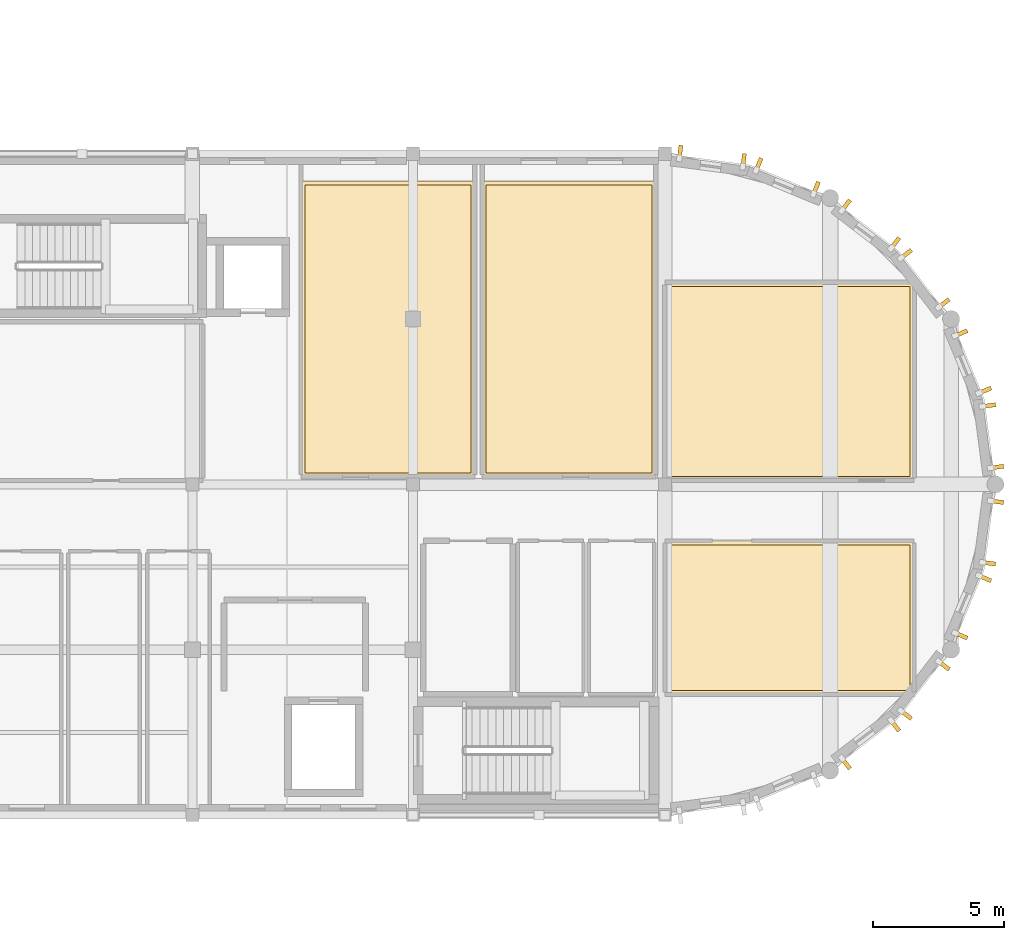
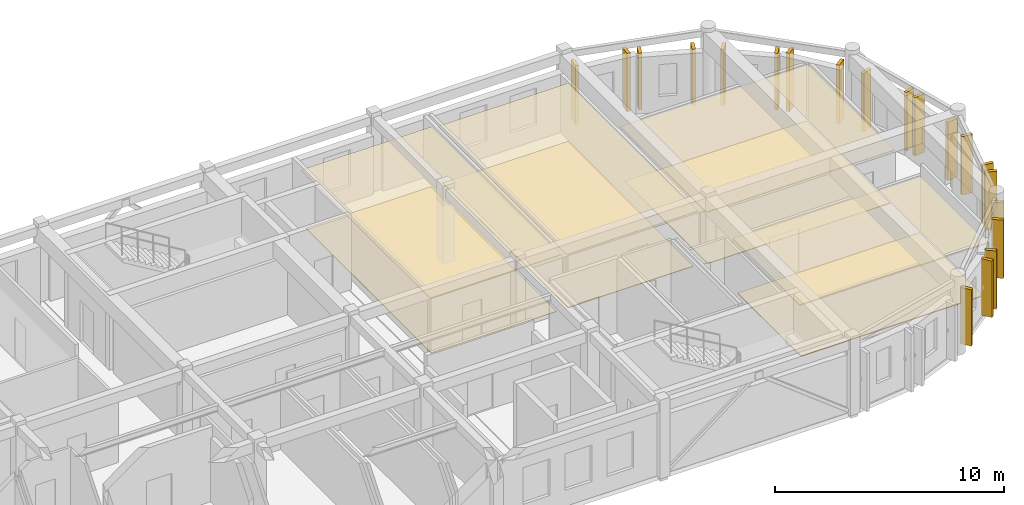
# One storey, part 12 of 12: 28 coverings.
"""IFC4 building model written with IfcOpenShell, lengths in metres."""

from ifc_helpers import new_model, si_unit, direction, frame, origin, origin_2d, place, context, subcontext, project, spatial, polyline, rectangle, outline, extrude, material, layer, layer_set, type_object, element, save


model = new_model("IFC4")

# Units and contexts
model_context = context("Model", 3, precision=1e-05, world=origin(), true_north=direction((0.0, 1.0)))
body_context = subcontext(model_context, "Body", "Model", "MODEL_VIEW")
ifc_project = project(units=[si_unit("LENGTHUNIT", "METRE"), si_unit("AREAUNIT", "SQUARE_METRE"), si_unit("VOLUMEUNIT", "CUBIC_METRE"), si_unit("PLANEANGLEUNIT", "RADIAN"), si_unit("MASSUNIT", "GRAM", prefix="KILO")], contexts=[model_context])

# Site, building, storey
site_placement = place(None, origin())
site = spatial("IfcSite", under=ifc_project, at=site_placement, CompositionType="ELEMENT")
building_placement = place(site_placement, origin())
building = spatial("IfcBuilding", under=site, at=building_placement, Name="Tarnavel Promenade Courthouse", CompositionType="ELEMENT")
storey_placement = place(building_placement, frame((0.0, 0.0, 27.0)))
storey = spatial("IfcBuildingStorey", under=building, at=storey_placement, Name="L07", CompositionType="ELEMENT", Elevation=27.0)

# Coverings
ifc_material_1 = material(Name="Engineered Smoked Oak Courtroom & Chambers Parquet")
ifc_layer_1 = layer(ifc_material_1, 0.031982421875)
ifc_layer_set_1 = layer_set([ifc_layer_1], Name="Engineered Smoked Oak Courtroom & Chambers Parquet")
covering_type_1 = type_object("IfcCoveringType", Name="Engineered Smoked Oak Courtroom & Chambers Parquet (COV-FLR-OAK-32)", PredefinedType="FLOORING", material=ifc_layer_set_1)
covering_1_placement = place(storey_placement, origin())
element("IfcCovering", 1, at=covering_1_placement, inside=storey, type_object=covering_type_1, Name="L07 Appellate Judges' Chambers L07 Suite B Architectural Flooring 0049", PredefinedType="FLOORING", context=body_context, shape_type="SweptSolid", body=[
    extrude(outline(polyline([(88.2900390625, 92.239990234375), (94.610107421875, 92.239990234375), (94.610107421875, 103.2099609375), (88.2900390625, 103.2099609375), (88.2900390625, 92.239990234375)])), origin(), (0.0, 0.0, 1.0), 0.031982421875),
])
covering_2_placement = place(storey_placement, origin())
element("IfcCovering", 2, at=covering_2_placement, inside=storey, type_object=covering_type_1, Name="L07 Appellate Judges' Chambers L07 Suite C Architectural Flooring 0050", PredefinedType="FLOORING", context=body_context, shape_type="SweptSolid", body=[
    extrude(outline(polyline([(95.18994140625, 92.239990234375), (101.510009765625, 92.239990234375), (101.510009765625, 103.2099609375), (95.18994140625, 103.2099609375), (95.18994140625, 92.239990234375)])), origin(), (0.0, 0.0, 1.0), 0.031982421875),
])
covering_3_placement = place(storey_placement, origin())
element("IfcCovering", 3, at=covering_3_placement, inside=storey, type_object=covering_type_1, Name="L07 L07 East Drum Rotunda Chambers North Architectural Flooring 0052", PredefinedType="FLOORING", context=body_context, shape_type="SweptSolid", body=[
    extrude(outline(polyline([(102.14990234375, 92.10009765625), (111.35009765625, 92.10009765625), (111.35009765625, 99.35009765625), (102.14990234375, 99.35009765625), (102.14990234375, 92.10009765625)])), origin(), (0.0, 0.0, 1.0), 0.031982421875),
])
ifc_material_2 = material(Name="Honed Khoriatis Marble and Terrazzo Civic Flooring", Category="masonry")
ifc_layer_2 = layer(ifc_material_2, 0.0400390625)
ifc_layer_set_2 = layer_set([ifc_layer_2], Name="Honed Khoriatis Marble and Terrazzo Civic Flooring")
covering_type_2 = type_object("IfcCoveringType", Name="Honed Khoriatis Marble and Terrazzo Civic Flooring (COV-FLR-TRZ-40)", PredefinedType="FLOORING", material=ifc_layer_set_2)
covering_4_placement = place(storey_placement, origin())
element("IfcCovering", 4, at=covering_4_placement, inside=storey, type_object=covering_type_2, Name="L07 L07 East Drum Collegium Reference Room Architectural Flooring 0053", PredefinedType="FLOORING", context=body_context, shape_type="SweptSolid", body=[
    extrude(outline(polyline([(102.14990234375, 83.949951171875), (111.35009765625, 83.949951171875), (111.35009765625, 89.5), (102.14990234375, 89.5), (102.14990234375, 83.949951171875)])), origin(), (0.0, 0.0, 1.0), 0.0400390625),
])
ifc_material_3 = material(Name="Micro-Perforated Acoustic Mineral-Fibre Ceiling")
ifc_layer_3 = layer(ifc_material_3, 0.044921875)
ifc_layer_set_3 = layer_set([ifc_layer_3], Name="Micro-Perforated Acoustic Mineral-Fibre Ceiling")
covering_type_3 = type_object("IfcCoveringType", Name="Micro-Perforated Acoustic Mineral-Fibre Ceiling (COV-CLG-MIN-45)", PredefinedType="CEILING", material=ifc_layer_set_3)
covering_5_placement = place(storey_placement, frame((0.0, 0.0, 3.054931640625)))
element("IfcCovering", 5, at=covering_5_placement, inside=storey, type_object=covering_type_3, Name="L07 Appellate Judges' Chambers L07 Suite B Acoustic Ceiling 0049", PredefinedType="CEILING", context=body_context, shape_type="SweptSolid", body=[
    extrude(outline(polyline([(88.139892578125, 92.090087890625), (94.760009765625, 92.090087890625), (94.760009765625, 103.360107421875), (88.139892578125, 103.360107421875), (88.139892578125, 92.090087890625)])), origin(), (0.0, 0.0, 1.0), 0.045166015625),
])
covering_6_placement = place(storey_placement, frame((0.0, 0.0, 2.965087890625)))
element("IfcCovering", 6, at=covering_6_placement, inside=storey, type_object=covering_type_3, Name="L07 Appellate Judges' Chambers L07 Suite C Acoustic Ceiling 0050", PredefinedType="CEILING", context=body_context, shape_type="SweptSolid", body=[
    extrude(outline(polyline([(95.0400390625, 92.090087890625), (101.659912109375, 92.090087890625), (101.659912109375, 103.360107421875), (95.0400390625, 103.360107421875), (95.0400390625, 92.090087890625)])), origin(), (0.0, 0.0, 1.0), 0.044921875),
])
covering_7_placement = place(storey_placement, frame((0.0, 0.0, 2.864990234375)))
element("IfcCovering", 7, at=covering_7_placement, inside=storey, type_object=covering_type_3, Name="L07 L07 East Drum Rotunda Chambers North Acoustic Ceiling 0052", PredefinedType="CEILING", context=body_context, shape_type="SweptSolid", body=[
    extrude(outline(polyline([(102.0, 91.949951171875), (111.5, 91.949951171875), (111.5, 99.5), (102.0, 99.5), (102.0, 91.949951171875)])), origin(), (0.0, 0.0, 1.0), 0.044921875),
])
ifc_material_4 = material(Name="Patinated Copper-Bronze Fluted Pier Cladding")
ifc_layer_4 = layer(ifc_material_4, 0.52001953125)
ifc_layer_set_4 = layer_set([ifc_layer_4], Name="Patinated Copper-Bronze Fluted Pier Cladding")
covering_type_4 = type_object("IfcCoveringType", Name="Patinated Copper-Bronze Fluted Pier Cladding COV-PIER-520 (520 mm)", PredefinedType="CLADDING", material=ifc_layer_set_4)
for number, where, z_axis, x_axis, name in (
    (8, (108.89697265625, 81.169677734375, 0.0), (0.0, 0.0, 1.0), (0.793353340291, 0.608761429009, 0.0), "L07 E Drum Fluted Copper Pier 0251"),
    (9, (110.772705078125, 82.60888671875, 0.0), (0.0, 0.0, 1.0), (0.793353340291, 0.608761429009, 0.0), "L07 E Drum Fluted Copper Pier 0252"),
):
    element("IfcCovering", number, at=place(storey_placement, frame(where, z_axis=z_axis, x_axis=x_axis)), inside=storey, type_object=covering_type_4, Name=name, PredefinedType="CLADDING", context=body_context, shape_type="SweptSolid", body=[
        extrude(rectangle(XDim=0.159912109375, YDim=0.52001953125, at=origin_2d()), origin(), (0.0, 0.0, 1.0), 3.010009765625),
    ])
for number, where, z_axis, x_axis, name in (
    (10, (111.191162109375, 83.02734375, 0.0), (0.0, 0.0, 1.0), (0.608761429009, 0.793353340291, 0.0), "L07 E Drum Fluted Copper Pier 0253"),
    (11, (112.63037109375, 84.903076171875, 0.0), (0.0, 0.0, 1.0), (0.608761429009, 0.793353340291, 0.0), "L07 E Drum Fluted Copper Pier 0254"),
    (12, (113.2880859375, 86.042236328125, 0.0), (0.0, 0.0, 1.0), (0.382683432365, 0.923879532511, 0.0), "L07 E Drum Fluted Copper Pier 0255"),
    (13, (114.19287109375, 88.2265625, 0.0), (0.0, 0.0, 1.0), (0.382683432365, 0.923879532511, 0.0), "L07 E Drum Fluted Copper Pier 0256"),
    (14, (114.345947265625, 88.798095703125, 0.0), (0.0, 0.0, 1.0), (0.13052619222, 0.991444861374, 0.0), "L07 E Drum Fluted Copper Pier 0257"),
    (15, (114.654541015625, 91.14208984375, 0.0), (0.0, 0.0, 1.0), (0.13052619222, 0.991444861374, 0.0), "L07 E Drum Fluted Copper Pier 0258"),
    (16, (114.654541015625, 92.457763671875, 0.0), (0.0, 0.0, 1.0), (-0.13052619222, 0.991444861374, 0.0), "L07 E Drum Fluted Copper Pier 0259"),
    (17, (114.345947265625, 94.8017578125, 0.0), (0.0, 0.0, 1.0), (-0.13052619222, 0.991444861374, 0.0), "L07 E Drum Fluted Copper Pier 0260"),
    (18, (114.19287109375, 95.373291015625, 0.0), (0.0, 0.0, 1.0), (-0.382683432365, 0.923879532511, 0.0), "L07 E Drum Fluted Copper Pier 0261"),
    (19, (113.2880859375, 97.5576171875, 0.0), (0.0, 0.0, 1.0), (-0.382683432365, 0.923879532511, 0.0), "L07 E Drum Fluted Copper Pier 0262"),
    (20, (112.63037109375, 98.697021484375, 0.0), (0.0, 0.0, 1.0), (-0.608761429009, 0.793353340291, 0.0), "L07 E Drum Fluted Copper Pier 0263"),
    (21, (111.191162109375, 100.572509765625, 0.0), (0.0, 0.0, 1.0), (-0.608761429009, 0.793353340291, 0.0), "L07 E Drum Fluted Copper Pier 0264"),
):
    element("IfcCovering", number, at=place(storey_placement, frame(where, z_axis=z_axis, x_axis=x_axis)), inside=storey, type_object=covering_type_4, Name=name, PredefinedType="CLADDING", context=body_context, shape_type="SweptSolid", body=[
        extrude(rectangle(XDim=0.159912109375, YDim=0.52001953125, at=origin_2d()), origin(), (0.0, 0.0, 1.0), 3.110107421875),
    ])
for number, where, z_axis, x_axis, name in (
    (22, (110.772705078125, 100.9912109375, 0.0), (0.0, 0.0, 1.0), (-0.793353340291, 0.608761429009, 0.0), "L07 E Drum Fluted Copper Pier 0265"),
    (23, (108.89697265625, 102.430419921875, 0.0), (0.0, 0.0, 1.0), (-0.793353340291, 0.608761429009, 0.0), "L07 E Drum Fluted Copper Pier 0266"),
    (24, (107.7578125, 103.088134765625, 0.0), (0.0, 0.0, 1.0), (-0.923879532511, 0.382683432365, 0.0), "L07 E Drum Fluted Copper Pier 0267"),
    (25, (105.573486328125, 103.992919921875, 0.0), (0.0, 0.0, 1.0), (-0.923879532511, 0.382683432365, 0.0), "L07 E Drum Fluted Copper Pier 0268"),
):
    element("IfcCovering", number, at=place(storey_placement, frame(where, z_axis=z_axis, x_axis=x_axis)), inside=storey, type_object=covering_type_4, Name=name, PredefinedType="CLADDING", context=body_context, shape_type="SweptSolid", body=[
        extrude(rectangle(XDim=0.159912109375, YDim=0.52001953125, at=origin_2d()), origin(), (0.0, 0.0, 1.0), 3.010009765625),
    ])
for number, where, z_axis, x_axis, name in (
    (26, (105.001708984375, 104.14599609375, 0.0), (0.0, 0.0, 1.0), (-0.991444861374, 0.13052619222, 0.0), "L07 E Drum Fluted Copper Pier 0269"),
    (27, (102.58349609375, 104.46435546875, 0.0), (0.0, 0.0, 1.0), (-0.991444861374, 0.13052619222, 0.0), "L07 E Drum Fluted Copper Pier 0270"),
):
    element("IfcCovering", number, at=place(storey_placement, frame(where, z_axis=z_axis, x_axis=x_axis)), inside=storey, type_object=covering_type_4, Name=name, PredefinedType="CLADDING", context=body_context, shape_type="SweptSolid", body=[
        extrude(rectangle(XDim=0.159912109375, YDim=0.52001953125, at=origin_2d()), origin(), (0.0, 0.0, 1.0), 3.110107421875),
    ])
ifc_material_5 = material(Name="Slatted Acoustic White Oak Baffle Ceiling")
ifc_layer_5 = layer(ifc_material_5, 0.06494140625)
ifc_layer_set_5 = layer_set([ifc_layer_5], Name="Slatted Acoustic White Oak Baffle Ceiling")
covering_type_5 = type_object("IfcCoveringType", Name="Slatted Acoustic White Oak Baffle Ceiling (COV-CLG-OAK-65)", PredefinedType="CEILING", material=ifc_layer_set_5)
covering_8_placement = place(storey_placement, frame((0.0, 0.0, 2.844970703125)))
element("IfcCovering", 28, at=covering_8_placement, inside=storey, type_object=covering_type_5, Name="L07 L07 East Drum Collegium Reference Room Acoustic Ceiling 0053", PredefinedType="CEILING", context=body_context, shape_type="SweptSolid", body=[
    extrude(outline(polyline([(102.0, 83.800048828125), (111.5, 83.800048828125), (111.5, 89.64990234375), (102.0, 89.64990234375), (102.0, 83.800048828125)])), origin(), (0.0, 0.0, 1.0), 0.06494140625),
])

save(model, "model.ifc")
